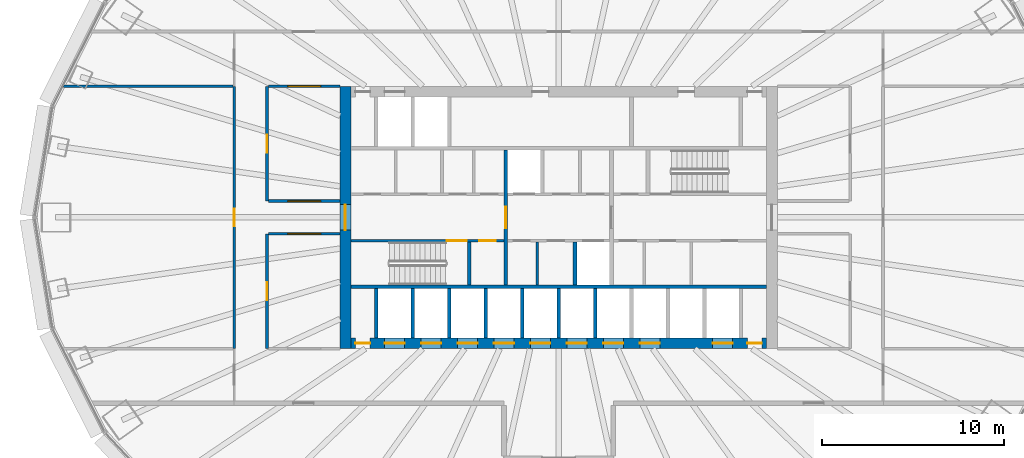
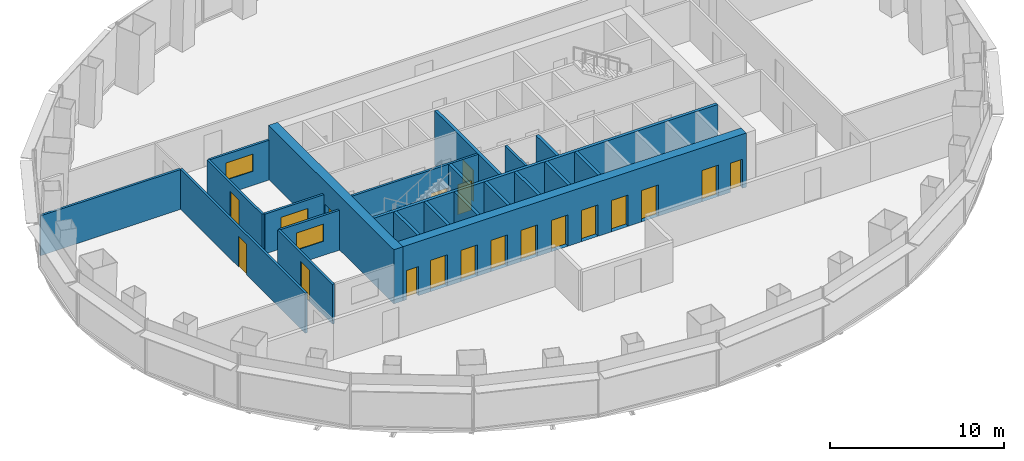
# One storey, part 7 of 13: 22 walls, 18 doors, 3 windows, 21 openings.
"""IFC4 building model written with IfcOpenShell, lengths in metres."""

import ifcopenshell
import ifcopenshell.guid

model = None  # the IFC model being written
_history = None  # IfcOwnerHistory: only IFC2X3 demands one
_inside = {}  # id of a spatial element -> (the spatial element, [elements in it])
_under = {}  # id of a project, library or spatial element -> (it, [spatial elements below it])
_declared = {}  # id of a project -> (the project, [libraries it declares])
_typed = {}  # id of a type object -> (the type object, [elements of that type])
_made_of = {}  # id of a material, layer set ... -> (it, [elements and type objects made of it])


def new_model(schema):
    """Start an empty IFC model of exactly this schema.

    Asked for "IFC4X3", IfcOpenShell would pick the latest addendum, in which some entities
    have other attributes; the version numbers below select the first issue.
    IFC2X3 requires an IfcOwnerHistory on every rooted entity: one is made here for all.
    """
    global model, _history
    if schema == "IFC4X3":
        model = ifcopenshell.file(schema_version=(4, 3, 0, 0))
    else:
        model = ifcopenshell.file(schema=schema)
    _inside.clear()
    _under.clear()
    _declared.clear()
    _typed.clear()
    _made_of.clear()
    _history = None
    if model.schema == "IFC2X3":
        org = make("IfcOrganization", Name="unknown")
        user = make(
            "IfcPersonAndOrganization",
            ThePerson=make("IfcPerson", FamilyName="unknown"),
            TheOrganization=org,
        )
        app = make(
            "IfcApplication",
            ApplicationDeveloper=org,
            Version="unknown",
            ApplicationFullName="unknown",
            ApplicationIdentifier="unknown",
        )
        _history = make(
            "IfcOwnerHistory",
            OwningUser=user,
            OwningApplication=app,
            ChangeAction="ADDED",
            CreationDate=0,
        )
    return model


def make(cls, **values):
    """One entity of the class cls with the attributes given. An attribute that is None is left unset."""
    return model.create_entity(
        cls, **{name: value for name, value in values.items() if value is not None}
    )


def rooted(cls, **values):
    """An entity with a GlobalId (a new one), such as an element, a storey or a relation."""
    return make(cls, GlobalId=ifcopenshell.guid.new(), OwnerHistory=_history, **values)


def si_unit(unit_type, name, prefix=None):
    """IfcSIUnit, for example si_unit("LENGTHUNIT", "METRE", prefix="MILLI")."""
    return make("IfcSIUnit", UnitType=unit_type, Prefix=prefix, Name=name)


def assignment(units):
    """IfcUnitAssignment: the units of a project."""
    return None if units is None else make("IfcUnitAssignment", Units=units)


def point(xyz):
    """IfcCartesianPoint."""
    return None if xyz is None else make("IfcCartesianPoint", Coordinates=xyz)


def direction(xyz):
    """IfcDirection."""
    return None if xyz is None else make("IfcDirection", DirectionRatios=xyz)


def frame(location, z_axis=None, x_axis=None):
    """IfcAxis2Placement3D, a coordinate frame: its origin and axes. An axis left out is left unset."""
    return make(
        "IfcAxis2Placement3D",
        Location=point(location),
        Axis=direction(z_axis),
        RefDirection=direction(x_axis),
    )


def frame_2d(location, x_axis=None):
    """IfcAxis2Placement2D, a coordinate frame in the plane: its origin and x axis."""
    return make(
        "IfcAxis2Placement2D", Location=point(location), RefDirection=direction(x_axis)
    )


def origin():
    """The frame at (0, 0, 0) with its axes left unset."""
    return frame((0.0, 0.0, 0.0))


def place(relative_to, where):
    """IfcLocalPlacement: puts the frame where relative to a parent placement (None: the world)."""
    return make(
        "IfcLocalPlacement", PlacementRelTo=relative_to, RelativePlacement=where
    )


def context(
    kind, dimensions, precision=None, world=None, true_north=None, identifier=None
):
    """IfcGeometricRepresentationContext, for example the 3D "Model" context."""
    return make(
        "IfcGeometricRepresentationContext",
        ContextIdentifier=identifier,
        ContextType=kind,
        CoordinateSpaceDimension=dimensions,
        Precision=precision,
        WorldCoordinateSystem=world,
        TrueNorth=true_north,
    )


def subcontext(parent, identifier, kind, view, scale=None):
    """IfcGeometricRepresentationSubContext, for example "Body" below "Model"."""
    return make(
        "IfcGeometricRepresentationSubContext",
        ContextIdentifier=identifier,
        ContextType=kind,
        ParentContext=parent,
        TargetScale=scale,
        TargetView=view,
    )


def project(units=None, contexts=None):
    """IfcProject with its units and contexts."""
    return rooted(
        "IfcProject",
        Name="project",
        RepresentationContexts=contexts,
        UnitsInContext=assignment(units),
    )


def spatial(cls, under=None, at=None, **own):
    """A site, building, storey or space (cls), placed at a placement, below another one or the project."""
    s = rooted(cls, ObjectPlacement=at, **own)
    if under is not None:
        _under.setdefault(under.id(), (under, []))[1].append(s)
    return s


def profile(cls, at=None, kind="AREA", **sizes):
    """A parametric profile (cls). Its sizes go by their IFC names, for example OverallWidth=200.0."""
    return make(cls, ProfileType=kind, Position=at, **sizes)


def rectangle(**sizes):
    """IfcRectangleProfileDef."""
    return profile("IfcRectangleProfileDef", **sizes)


def extrude(swept, where, along, depth):
    """IfcExtrudedAreaSolid: the profile swept, set in the frame where, extruded along a direction by depth."""
    return make(
        "IfcExtrudedAreaSolid",
        SweptArea=swept,
        Position=where,
        ExtrudedDirection=direction(along),
        Depth=depth,
    )


def shape(context_of_items, identifier, shape_type, items):
    """IfcShapeRepresentation: the items that make up one representation, for example the "Body"."""
    return make(
        "IfcShapeRepresentation",
        ContextOfItems=context_of_items,
        RepresentationIdentifier=identifier,
        RepresentationType=shape_type,
        Items=items,
    )


def material(Name=None, Category=None):
    """IfcMaterial."""
    return make("IfcMaterial", Name=Name, Category=Category)


def layer(
    of_material, thickness, ventilated=None, Name=None, Category=None, Priority=None
):
    """IfcMaterialLayer: one layer of a wall or slab, of a material (None: an air gap)."""
    return make(
        "IfcMaterialLayer",
        Material=of_material,
        LayerThickness=thickness,
        IsVentilated=ventilated,
        Name=Name,
        Category=Category,
        Priority=Priority,
    )


def layer_set(layers, Name=None):
    """IfcMaterialLayerSet."""
    return make("IfcMaterialLayerSet", MaterialLayers=layers, LayerSetName=Name)


def made_of(thing, what):
    """Note that an element or type object is made of a material, layer set ...; save() writes the relation."""
    if what is not None:
        _made_of.setdefault(what.id(), (what, []))[1].append(thing)
    return thing


def type_object(cls, material=None, **own):
    """A type object (cls), such as IfcWallType, which elements share."""
    return made_of(rooted(cls, **own), material)


def element(
    cls,
    number,
    at=None,
    inside=None,
    cuts=None,
    type_object=None,
    material=None,
    context=None,
    identifier="Body",
    shape_type=None,
    held_by="IfcProductDefinitionShape",
    body=None,
    shapes=None,
    **own,
):
    """One element of the class cls, such as IfcWall. Its Tag is "e" and its number.

    at: its placement. inside: the storey or other place that contains it. cuts: it is an
    opening in that element (IfcRelVoidsElement). A single representation is given by context,
    identifier, shape_type and body (its items); several are given by shapes. held_by: the class
    of the entity that holds the representations. save() writes the other relations.
    """
    e = rooted(cls, Tag="e%d" % number, ObjectPlacement=at, **own)
    if body is not None:
        shapes = [shape(context, identifier, shape_type, body)]
    if shapes is not None:
        e.Representation = make(held_by, Representations=shapes)
    if inside is not None:
        _inside.setdefault(inside.id(), (inside, []))[1].append(e)
    if cuts is not None:
        rooted(
            "IfcRelVoidsElement", RelatingBuildingElement=cuts, RelatedOpeningElement=e
        )
    if type_object is not None:
        _typed.setdefault(type_object.id(), (type_object, []))[1].append(e)
    return made_of(e, material)


def fill(opening, filler):
    """IfcRelFillsElement: the door or window that sits in an opening."""
    return rooted(
        "IfcRelFillsElement",
        RelatingOpeningElement=opening,
        RelatedBuildingElement=filler,
    )


def aggregate(whole, parts):
    """IfcRelAggregates: a whole, such as a stair, and the parts it consists of."""
    return rooted("IfcRelAggregates", RelatingObject=whole, RelatedObjects=parts)


def save(model, path):
    """Write the relations noted so far, then the file.

    IfcRelAggregates (storeys below a building ...), IfcRelContainedInSpatialStructure (elements
    in a storey), IfcRelDefinesByType, IfcRelAssociatesMaterial and IfcRelDeclares: one each for
    every whole, place, type object, material and project.
    """
    for whole, parts in _under.values():
        aggregate(whole, parts)
    for where, things in _inside.values():
        rooted(
            "IfcRelContainedInSpatialStructure",
            RelatedElements=things,
            RelatingStructure=where,
        )
    for kind, things in _typed.values():
        rooted("IfcRelDefinesByType", RelatedObjects=things, RelatingType=kind)
    for what, things in _made_of.values():
        rooted("IfcRelAssociatesMaterial", RelatedObjects=things, RelatingMaterial=what)
    for by, libraries in _declared.values():
        rooted("IfcRelDeclares", RelatingContext=by, RelatedDefinitions=libraries)
    model.write(path)


model = new_model("IFC4")

# Units and contexts
model_context = context("Model", 3, precision=1e-05, world=origin(), true_north=direction((0.0, 1.0)))
body_context = subcontext(model_context, "Body", "Model", "MODEL_VIEW")
ifc_project = project(units=[si_unit("LENGTHUNIT", "METRE"), si_unit("AREAUNIT", "SQUARE_METRE"), si_unit("VOLUMEUNIT", "CUBIC_METRE"), si_unit("PLANEANGLEUNIT", "RADIAN"), si_unit("MASSUNIT", "GRAM", prefix="KILO")], contexts=[model_context])

# Site, building, storey
site_placement = place(None, origin())
site = spatial("IfcSite", under=ifc_project, at=site_placement, CompositionType="ELEMENT")
building_placement = place(site_placement, origin())
building = spatial("IfcBuilding", under=site, at=building_placement, Name="Siaravel Broadcast Tower", CompositionType="ELEMENT")
storey_placement = place(building_placement, frame((0.0, 0.0, 24.5)))
storey = spatial("IfcBuildingStorey", under=building, at=storey_placement, Name="L04", CompositionType="ELEMENT", Elevation=24.5)

# Wall
ifc_material_1 = material(Name="Concrete blockwork", Category="masonry")
ifc_layer_1 = layer(ifc_material_1, 0.14990234375)
ifc_layer_set_1 = layer_set([ifc_layer_1], Name="Concrete blockwork")
wall_type_1 = type_object("IfcWallType", Name="Core partition 150", PredefinedType="PARTITIONING", material=ifc_layer_set_1)
wall_1_placement = place(storey_placement, frame((-1.172607421875, -3.699951171875, 0.0), z_axis=(0.0, 0.0, 1.0), x_axis=(0.0, 1.0, 0.0)))
element("IfcWall", 1, at=wall_1_placement, inside=storey, type_object=wall_type_1, Name="L04 core partition PSM0", PredefinedType="PARTITIONING", context=body_context, shape_type="SweptSolid", body=[
    extrude(rectangle(XDim=2.349853515625, YDim=0.14990234375, at=frame_2d((1.1748046875, 0.0))), origin(), (0.0, 0.0, 1.0), 3.800048828125),
])

# Wall, opening, door
ifc_material_2 = material(Name="Concrete C60/75", Category="concrete")
ifc_layer_2 = layer(ifc_material_2, 0.60009765625)
ifc_layer_set_2 = layer_set([ifc_layer_2], Name="Concrete C60/75")
wall_type_2 = type_object("IfcWallType", Name="Core wall 600", PredefinedType="SHEAR", material=ifc_layer_set_2)
wall_2_placement = place(storey_placement, frame((-11.699951171875, -7.199951171875, 0.0), z_axis=(0.0, 0.0, 1.0), x_axis=(0.0, 1.0, 0.0)))
wall_2 = element("IfcWall", 2, at=wall_2_placement, inside=storey, type_object=wall_type_2, Name="L04 core wall OW", PredefinedType="SHEAR", context=body_context, shape_type="SweptSolid", body=[
    extrude(rectangle(XDim=14.39990234375, YDim=0.60009765625, at=frame_2d((7.199951171875, 0.0))), origin(), (0.0, 0.0, 1.0), 3.800048828125),
])
opening_1_placement = place(wall_2_placement, frame((6.5, 0.0, 0.0)))
opening_1 = element("IfcOpeningElement", 3, at=opening_1_placement, cuts=wall_2, Name="Opening L04-DX-W", PredefinedType="OPENING", context=body_context, shape_type="SweptSolid", body=[
    extrude(rectangle(XDim=1.39990234375, YDim=2.199951171875, at=frame_2d((0.699951171875, 1.10009765625))), frame((0.0, 0.31005859375, 0.0), z_axis=(0.0, -1.0, 0.0), x_axis=(1.0, 0.0, 0.0)), (0.0, 0.0, 1.0), 0.6201171875),
])
ifc_material_3 = material(Name="Steel", Category="steel")
door_type_1 = type_object("IfcDoorType", Name="Core exit door 1400", OperationType="DOUBLE_DOOR_SINGLE_SWING", PredefinedType="DOOR", material=ifc_material_3)
door_1_placement = place(opening_1_placement, origin())
door_1 = element("IfcDoor", 4, at=door_1_placement, inside=storey, type_object=door_type_1, Name="L04 door DX-W", OperationType="DOUBLE_DOOR_SINGLE_SWING", OverallHeight=2.199951171875, OverallWidth=1.39990234375, PredefinedType="DOOR", context=body_context, shape_type="SweptSolid", body=[
    extrude(rectangle(XDim=1.39990234375, YDim=2.199951171875, at=frame_2d((0.699951171875, 1.10009765625))), frame((0.0, 0.02490234375, 0.0), z_axis=(0.0, -1.0, 0.0), x_axis=(1.0, 0.0, 0.0)), (0.0, 0.0, 1.0), 0.050048828125),
])
fill(opening_1, door_1)

# Wall, openings, doors
wall_3_placement = place(storey_placement, frame((-11.39990234375, -6.89990234375, 0.0), z_axis=(0.0, 0.0, 1.0), x_axis=(1.0, 0.0, 0.0)))
wall_3 = element("IfcWall", 5, at=wall_3_placement, inside=storey, type_object=wall_type_2, Name="L04 core wall OS", PredefinedType="SHEAR", context=body_context, shape_type="SweptSolid", body=[
    extrude(rectangle(XDim=22.7998046875, YDim=0.60009765625, at=frame_2d((11.39990234375, 0.0))), origin(), (0.0, 0.0, 1.0), 3.800048828125),
])
opening_2_placement = place(wall_3_placement, frame((1.85009765625, 0.0, 0.0)))
opening_2 = element("IfcOpeningElement", 6, at=opening_2_placement, cuts=wall_3, Name="Opening LD-LP1-L04", PredefinedType="OPENING", context=body_context, shape_type="SweptSolid", body=[
    extrude(rectangle(XDim=1.10009765625, YDim=2.199951171875, at=frame_2d((0.550048828125, 1.10009765625))), frame((0.0, 0.31005859375, 0.0), z_axis=(0.0, -1.0, 0.0), x_axis=(1.0, 0.0, 0.0)), (0.0, 0.0, 1.0), 0.6201171875),
])
opening_3_placement = place(wall_3_placement, frame((3.85009765625, 0.0, 0.0)))
opening_3 = element("IfcOpeningElement", 7, at=opening_3_placement, cuts=wall_3, Name="Opening LD-LP2-L04", PredefinedType="OPENING", context=body_context, shape_type="SweptSolid", body=[
    extrude(rectangle(XDim=1.10009765625, YDim=2.199951171875, at=frame_2d((0.550048828125, 1.10009765625))), frame((0.0, 0.31005859375, 0.0), z_axis=(0.0, -1.0, 0.0), x_axis=(1.0, 0.0, 0.0)), (0.0, 0.0, 1.0), 0.6201171875),
])
opening_4_placement = place(wall_3_placement, frame((5.85009765625, 0.0, 0.0)))
opening_4 = element("IfcOpeningElement", 8, at=opening_4_placement, cuts=wall_3, Name="Opening LD-LP3-L04", PredefinedType="OPENING", context=body_context, shape_type="SweptSolid", body=[
    extrude(rectangle(XDim=1.10009765625, YDim=2.199951171875, at=frame_2d((0.550048828125, 1.10009765625))), frame((0.0, 0.31005859375, 0.0), z_axis=(0.0, -1.0, 0.0), x_axis=(1.0, 0.0, 0.0)), (0.0, 0.0, 1.0), 0.6201171875),
])
opening_5_placement = place(wall_3_placement, frame((7.85009765625, 0.0, 0.0)))
opening_5 = element("IfcOpeningElement", 9, at=opening_5_placement, cuts=wall_3, Name="Opening LD-LP4-L04", PredefinedType="OPENING", context=body_context, shape_type="SweptSolid", body=[
    extrude(rectangle(XDim=1.10009765625, YDim=2.199951171875, at=frame_2d((0.550048828125, 1.10009765625))), frame((0.0, 0.31005859375, 0.0), z_axis=(0.0, -1.0, 0.0), x_axis=(1.0, 0.0, 0.0)), (0.0, 0.0, 1.0), 0.6201171875),
])
opening_6_placement = place(wall_3_placement, frame((9.85009765625, 0.0, 0.0)))
opening_6 = element("IfcOpeningElement", 10, at=opening_6_placement, cuts=wall_3, Name="Opening LD-LP5-L04", PredefinedType="OPENING", context=body_context, shape_type="SweptSolid", body=[
    extrude(rectangle(XDim=1.10009765625, YDim=2.199951171875, at=frame_2d((0.550048828125, 1.10009765625))), frame((0.0, 0.31005859375, 0.0), z_axis=(0.0, -1.0, 0.0), x_axis=(1.0, 0.0, 0.0)), (0.0, 0.0, 1.0), 0.6201171875),
])
opening_7_placement = place(wall_3_placement, frame((11.85009765625, 0.0, 0.0)))
opening_7 = element("IfcOpeningElement", 11, at=opening_7_placement, cuts=wall_3, Name="Opening LD-LP6-L04", PredefinedType="OPENING", context=body_context, shape_type="SweptSolid", body=[
    extrude(rectangle(XDim=1.10009765625, YDim=2.199951171875, at=frame_2d((0.550048828125, 1.10009765625))), frame((0.0, 0.31005859375, 0.0), z_axis=(0.0, -1.0, 0.0), x_axis=(1.0, 0.0, 0.0)), (0.0, 0.0, 1.0), 0.6201171875),
])
opening_8_placement = place(wall_3_placement, frame((13.85009765625, 0.0, 0.0)))
opening_8 = element("IfcOpeningElement", 12, at=opening_8_placement, cuts=wall_3, Name="Opening LD-LP7-L04", PredefinedType="OPENING", context=body_context, shape_type="SweptSolid", body=[
    extrude(rectangle(XDim=1.10009765625, YDim=2.199951171875, at=frame_2d((0.550048828125, 1.10009765625))), frame((0.0, 0.31005859375, 0.0), z_axis=(0.0, -1.0, 0.0), x_axis=(1.0, 0.0, 0.0)), (0.0, 0.0, 1.0), 0.6201171875),
])
opening_9_placement = place(wall_3_placement, frame((15.85009765625, 0.0, 0.0)))
opening_9 = element("IfcOpeningElement", 13, at=opening_9_placement, cuts=wall_3, Name="Opening LD-LP8-L04", PredefinedType="OPENING", context=body_context, shape_type="SweptSolid", body=[
    extrude(rectangle(XDim=1.10009765625, YDim=2.199951171875, at=frame_2d((0.550048828125, 1.10009765625))), frame((0.0, 0.31005859375, 0.0), z_axis=(0.0, -1.0, 0.0), x_axis=(1.0, 0.0, 0.0)), (0.0, 0.0, 1.0), 0.6201171875),
])
opening_10_placement = place(wall_3_placement, frame((19.85009765625, 0.0, 0.0)))
opening_10 = element("IfcOpeningElement", 14, at=opening_10_placement, cuts=wall_3, Name="Opening LD-SV1-L04", PredefinedType="OPENING", context=body_context, shape_type="SweptSolid", body=[
    extrude(rectangle(XDim=1.10009765625, YDim=2.199951171875, at=frame_2d((0.550048828125, 1.10009765625))), frame((0.0, 0.31005859375, 0.0), z_axis=(0.0, -1.0, 0.0), x_axis=(1.0, 0.0, 0.0)), (0.0, 0.0, 1.0), 0.6201171875),
])
opening_11_placement = place(wall_3_placement, frame((0.25, 0.0, 0.0)))
opening_11 = element("IfcOpeningElement", 15, at=opening_11_placement, cuts=wall_3, Name="Opening L04-DRSW", PredefinedType="OPENING", context=body_context, shape_type="SweptSolid", body=[
    extrude(rectangle(XDim=0.800048828125, YDim=2.050048828125, at=frame_2d((0.39990234375, 1.02490234375))), frame((0.0, 0.31005859375, 0.0), z_axis=(0.0, -1.0, 0.0), x_axis=(1.0, 0.0, 0.0)), (0.0, 0.0, 1.0), 0.6201171875),
])
opening_12_placement = place(wall_3_placement, frame((21.75, 0.0, 0.0)))
opening_12 = element("IfcOpeningElement", 16, at=opening_12_placement, cuts=wall_3, Name="Opening L04-DRSE", PredefinedType="OPENING", context=body_context, shape_type="SweptSolid", body=[
    extrude(rectangle(XDim=0.800048828125, YDim=2.050048828125, at=frame_2d((0.39990234375, 1.02490234375))), frame((0.0, 0.31005859375, 0.0), z_axis=(0.0, -1.0, 0.0), x_axis=(1.0, 0.0, 0.0)), (0.0, 0.0, 1.0), 0.6201171875),
])
ifc_material_4 = material(Name="Stainless steel 316L", Category="steel")
door_type_2 = type_object("IfcDoorType", Name="Lift landing door 1100", OperationType="DOUBLE_DOOR_SLIDING", PredefinedType="DOOR", material=ifc_material_4)
door_2_placement = place(opening_2_placement, origin())
door_2 = element("IfcDoor", 17, at=door_2_placement, inside=storey, type_object=door_type_2, Name="Landing door LP1 L04", OperationType="DOUBLE_DOOR_SLIDING", OverallHeight=2.199951171875, OverallWidth=1.10009765625, PredefinedType="DOOR", context=body_context, shape_type="SweptSolid", body=[
    extrude(rectangle(XDim=1.10009765625, YDim=2.199951171875, at=frame_2d((0.550048828125, 1.10009765625))), frame((0.0, 0.02490234375, 0.0), z_axis=(0.0, -1.0, 0.0), x_axis=(1.0, 0.0, 0.0)), (0.0, 0.0, 1.0), 0.050048828125),
])
fill(opening_2, door_2)
door_3_placement = place(opening_3_placement, origin())
door_3 = element("IfcDoor", 18, at=door_3_placement, inside=storey, type_object=door_type_2, Name="Landing door LP2 L04", OperationType="DOUBLE_DOOR_SLIDING", OverallHeight=2.199951171875, OverallWidth=1.10009765625, PredefinedType="DOOR", context=body_context, shape_type="SweptSolid", body=[
    extrude(rectangle(XDim=1.10009765625, YDim=2.199951171875, at=frame_2d((0.550048828125, 1.10009765625))), frame((0.0, 0.02490234375, 0.0), z_axis=(0.0, -1.0, 0.0), x_axis=(1.0, 0.0, 0.0)), (0.0, 0.0, 1.0), 0.050048828125),
])
fill(opening_3, door_3)
door_4_placement = place(opening_4_placement, origin())
door_4 = element("IfcDoor", 19, at=door_4_placement, inside=storey, type_object=door_type_2, Name="Landing door LP3 L04", OperationType="DOUBLE_DOOR_SLIDING", OverallHeight=2.199951171875, OverallWidth=1.10009765625, PredefinedType="DOOR", context=body_context, shape_type="SweptSolid", body=[
    extrude(rectangle(XDim=1.10009765625, YDim=2.199951171875, at=frame_2d((0.550048828125, 1.10009765625))), frame((0.0, 0.02490234375, 0.0), z_axis=(0.0, -1.0, 0.0), x_axis=(1.0, 0.0, 0.0)), (0.0, 0.0, 1.0), 0.050048828125),
])
fill(opening_4, door_4)
door_5_placement = place(opening_5_placement, origin())
door_5 = element("IfcDoor", 20, at=door_5_placement, inside=storey, type_object=door_type_2, Name="Landing door LP4 L04", OperationType="DOUBLE_DOOR_SLIDING", OverallHeight=2.199951171875, OverallWidth=1.10009765625, PredefinedType="DOOR", context=body_context, shape_type="SweptSolid", body=[
    extrude(rectangle(XDim=1.10009765625, YDim=2.199951171875, at=frame_2d((0.550048828125, 1.10009765625))), frame((0.0, 0.02490234375, 0.0), z_axis=(0.0, -1.0, 0.0), x_axis=(1.0, 0.0, 0.0)), (0.0, 0.0, 1.0), 0.050048828125),
])
fill(opening_5, door_5)
door_6_placement = place(opening_6_placement, origin())
door_6 = element("IfcDoor", 21, at=door_6_placement, inside=storey, type_object=door_type_2, Name="Landing door LP5 L04", OperationType="DOUBLE_DOOR_SLIDING", OverallHeight=2.199951171875, OverallWidth=1.10009765625, PredefinedType="DOOR", context=body_context, shape_type="SweptSolid", body=[
    extrude(rectangle(XDim=1.10009765625, YDim=2.199951171875, at=frame_2d((0.550048828125, 1.10009765625))), frame((0.0, 0.02490234375, 0.0), z_axis=(0.0, -1.0, 0.0), x_axis=(1.0, 0.0, 0.0)), (0.0, 0.0, 1.0), 0.050048828125),
])
fill(opening_6, door_6)
door_7_placement = place(opening_7_placement, origin())
door_7 = element("IfcDoor", 22, at=door_7_placement, inside=storey, type_object=door_type_2, Name="Landing door LP6 L04", OperationType="DOUBLE_DOOR_SLIDING", OverallHeight=2.199951171875, OverallWidth=1.10009765625, PredefinedType="DOOR", context=body_context, shape_type="SweptSolid", body=[
    extrude(rectangle(XDim=1.10009765625, YDim=2.199951171875, at=frame_2d((0.550048828125, 1.10009765625))), frame((0.0, 0.02490234375, 0.0), z_axis=(0.0, -1.0, 0.0), x_axis=(1.0, 0.0, 0.0)), (0.0, 0.0, 1.0), 0.050048828125),
])
fill(opening_7, door_7)
door_8_placement = place(opening_8_placement, origin())
door_8 = element("IfcDoor", 23, at=door_8_placement, inside=storey, type_object=door_type_2, Name="Landing door LP7 L04", OperationType="DOUBLE_DOOR_SLIDING", OverallHeight=2.199951171875, OverallWidth=1.10009765625, PredefinedType="DOOR", context=body_context, shape_type="SweptSolid", body=[
    extrude(rectangle(XDim=1.10009765625, YDim=2.199951171875, at=frame_2d((0.550048828125, 1.10009765625))), frame((0.0, 0.02490234375, 0.0), z_axis=(0.0, -1.0, 0.0), x_axis=(1.0, 0.0, 0.0)), (0.0, 0.0, 1.0), 0.050048828125),
])
fill(opening_8, door_8)
door_9_placement = place(opening_9_placement, origin())
door_9 = element("IfcDoor", 24, at=door_9_placement, inside=storey, type_object=door_type_2, Name="Landing door LP8 L04", OperationType="DOUBLE_DOOR_SLIDING", OverallHeight=2.199951171875, OverallWidth=1.10009765625, PredefinedType="DOOR", context=body_context, shape_type="SweptSolid", body=[
    extrude(rectangle(XDim=1.10009765625, YDim=2.199951171875, at=frame_2d((0.550048828125, 1.10009765625))), frame((0.0, 0.02490234375, 0.0), z_axis=(0.0, -1.0, 0.0), x_axis=(1.0, 0.0, 0.0)), (0.0, 0.0, 1.0), 0.050048828125),
])
fill(opening_9, door_9)
door_type_3 = type_object("IfcDoorType", Name="Riser door 800", OperationType="SINGLE_SWING_LEFT", PredefinedType="DOOR", material=ifc_material_3)
door_10_placement = place(opening_11_placement, origin())
door_10 = element("IfcDoor", 25, at=door_10_placement, inside=storey, type_object=door_type_3, Name="L04 door DRSW", OperationType="SINGLE_SWING_LEFT", OverallHeight=2.050048828125, OverallWidth=0.800048828125, PredefinedType="DOOR", context=body_context, shape_type="SweptSolid", body=[
    extrude(rectangle(XDim=0.800048828125, YDim=2.050048828125, at=frame_2d((0.39990234375, 1.02490234375))), frame((0.0, 0.02490234375, 0.0), z_axis=(0.0, -1.0, 0.0), x_axis=(1.0, 0.0, 0.0)), (0.0, 0.0, 1.0), 0.050048828125),
])
fill(opening_11, door_10)
door_11_placement = place(opening_12_placement, origin())
door_11 = element("IfcDoor", 26, at=door_11_placement, inside=storey, type_object=door_type_3, Name="L04 door DRSE", OperationType="SINGLE_SWING_LEFT", OverallHeight=2.050048828125, OverallWidth=0.800048828125, PredefinedType="DOOR", context=body_context, shape_type="SweptSolid", body=[
    extrude(rectangle(XDim=0.800048828125, YDim=2.050048828125, at=frame_2d((0.39990234375, 1.02490234375))), frame((0.0, 0.02490234375, 0.0), z_axis=(0.0, -1.0, 0.0), x_axis=(1.0, 0.0, 0.0)), (0.0, 0.0, 1.0), 0.050048828125),
])
fill(opening_12, door_11)
door_type_4 = type_object("IfcDoorType", Name="Service lift landing door 1100", OperationType="DOUBLE_DOOR_SLIDING", PredefinedType="DOOR", material=ifc_material_4)
door_12_placement = place(opening_10_placement, origin())
door_12 = element("IfcDoor", 27, at=door_12_placement, inside=storey, type_object=door_type_4, Name="Landing door SV1 L04", OperationType="DOUBLE_DOOR_SLIDING", OverallHeight=2.199951171875, OverallWidth=1.10009765625, PredefinedType="DOOR", context=body_context, shape_type="SweptSolid", body=[
    extrude(rectangle(XDim=1.10009765625, YDim=2.199951171875, at=frame_2d((0.550048828125, 1.10009765625))), frame((0.0, 0.02490234375, 0.0), z_axis=(0.0, -1.0, 0.0), x_axis=(1.0, 0.0, 0.0)), (0.0, 0.0, 1.0), 0.050048828125),
])
fill(opening_10, door_12)

# Wall, opening, door
ifc_material_5 = material(Name="Gypsum board partition", Category="gypsum")
ifc_layer_3 = layer(ifc_material_5, 0.14990234375)
ifc_layer_set_3 = layer_set([ifc_layer_3], Name="Gypsum board partition")
wall_type_3 = type_object("IfcWallType", Name="Corridor wall 150", PredefinedType="PARTITIONING", material=ifc_layer_set_3)
wall_4_placement = place(storey_placement, frame((-17.800048828125, 7.199951171875, 0.0), z_axis=(0.0, 0.0, 1.0), x_axis=(0.0, -1.0, 0.0)))
wall_4 = element("IfcWall", 28, at=wall_4_placement, inside=storey, type_object=wall_type_3, Name="L04 partition 4", PredefinedType="PARTITIONING", context=body_context, shape_type="SweptSolid", body=[
    extrude(rectangle(XDim=14.39990234375, YDim=0.14990234375, at=frame_2d((7.199951171875, 0.0))), origin(), (0.0, 0.0, 1.0), 2.800048828125),
])
opening_13_placement = place(wall_4_placement, frame((6.72509765625, 0.0, 0.0)))
opening_13 = element("IfcOpeningElement", 29, at=opening_13_placement, cuts=wall_4, Name="Opening L04-007", PredefinedType="OPENING", context=body_context, shape_type="SweptSolid", body=[
    extrude(rectangle(XDim=0.949951171875, YDim=2.14990234375, at=frame_2d((0.47509765625, 1.074951171875))), frame((0.0, 0.0849609375, 0.0), z_axis=(0.0, -1.0, 0.0), x_axis=(1.0, 0.0, 0.0)), (0.0, 0.0, 1.0), 0.169921875),
])
ifc_material_6 = material(Name="Timber veneer", Category="wood")
door_type_5 = type_object("IfcDoorType", Name="Office door 950", OperationType="SINGLE_SWING_LEFT", PredefinedType="DOOR", material=ifc_material_6)
door_13_placement = place(opening_13_placement, origin())
door_13 = element("IfcDoor", 30, at=door_13_placement, inside=storey, type_object=door_type_5, Name="L04 door to Production office", OperationType="SINGLE_SWING_LEFT", OverallHeight=2.14990234375, OverallWidth=0.949951171875, PredefinedType="DOOR", context=body_context, shape_type="SweptSolid", body=[
    extrude(rectangle(XDim=0.949951171875, YDim=2.14990234375, at=frame_2d((0.47509765625, 1.074951171875))), frame((0.0, 0.02490234375, 0.0), z_axis=(0.0, -1.0, 0.0), x_axis=(1.0, 0.0, 0.0)), (0.0, 0.0, 1.0), 0.050048828125),
])
fill(opening_13, door_13)

wall_5_placement = place(storey_placement, frame((-16.0, -7.199951171875, 0.0), z_axis=(0.0, 0.0, 1.0), x_axis=(0.0, 1.0, 0.0)))
wall_5 = element("IfcWall", 31, at=wall_5_placement, inside=storey, type_object=wall_type_3, Name="L04 partition 14", PredefinedType="PARTITIONING", context=body_context, shape_type="SweptSolid", body=[
    extrude(rectangle(XDim=6.300048828125, YDim=0.14990234375, at=frame_2d((3.14990234375, 0.0))), origin(), (0.0, 0.0, 1.0), 2.800048828125),
])
opening_14_placement = place(wall_5_placement, frame((2.64990234375, 0.0, 0.0)))
opening_14 = element("IfcOpeningElement", 32, at=opening_14_placement, cuts=wall_5, Name="Opening L04-002", PredefinedType="OPENING", context=body_context, shape_type="SweptSolid", body=[
    extrude(rectangle(XDim=1.0, YDim=2.199951171875, at=frame_2d((0.5, 1.10009765625))), frame((0.0, 0.0849609375, 0.0), z_axis=(0.0, -1.0, 0.0), x_axis=(1.0, 0.0, 0.0)), (0.0, 0.0, 1.0), 0.169921875),
])
ifc_material_7 = material(Name="Acoustic timber and steel", Category="steel")
door_type_6 = type_object("IfcDoorType", Name="Acoustic door 1000", OperationType="SINGLE_SWING_LEFT", PredefinedType="DOOR", material=ifc_material_7)
door_14_placement = place(opening_14_placement, origin())
door_14 = element("IfcDoor", 33, at=door_14_placement, inside=storey, type_object=door_type_6, Name="L04 door to Control room", OperationType="SINGLE_SWING_RIGHT", OverallHeight=2.199951171875, OverallWidth=1.0, PredefinedType="DOOR", context=body_context, shape_type="SweptSolid", body=[
    extrude(rectangle(XDim=1.0, YDim=2.199951171875, at=frame_2d((0.5, 1.10009765625))), frame((0.0, 0.02490234375, 0.0), z_axis=(0.0, -1.0, 0.0), x_axis=(1.0, 0.0, 0.0)), (0.0, 0.0, 1.0), 0.050048828125),
])
fill(opening_14, door_14)

wall_6_placement = place(storey_placement, frame((-16.0, 0.89990234375, 0.0), z_axis=(0.0, 0.0, 1.0), x_axis=(0.0, 1.0, 0.0)))
wall_6 = element("IfcWall", 34, at=wall_6_placement, inside=storey, type_object=wall_type_3, Name="L04 partition 15", PredefinedType="PARTITIONING", context=body_context, shape_type="SweptSolid", body=[
    extrude(rectangle(XDim=6.300048828125, YDim=0.14990234375, at=frame_2d((3.14990234375, 0.0))), origin(), (0.0, 0.0, 1.0), 2.800048828125),
])
opening_15_placement = place(wall_6_placement, frame((2.64990234375, 0.0, 0.0)))
opening_15 = element("IfcOpeningElement", 35, at=opening_15_placement, cuts=wall_6, Name="Opening L04-003", PredefinedType="OPENING", context=body_context, shape_type="SweptSolid", body=[
    extrude(rectangle(XDim=1.0, YDim=2.199951171875, at=frame_2d((0.5, 1.10009765625))), frame((0.0, 0.0849609375, 0.0), z_axis=(0.0, -1.0, 0.0), x_axis=(1.0, 0.0, 0.0)), (0.0, 0.0, 1.0), 0.169921875),
])
door_15_placement = place(opening_15_placement, origin())
door_15 = element("IfcDoor", 36, at=door_15_placement, inside=storey, type_object=door_type_6, Name="L04 door to Control room", OperationType="SINGLE_SWING_LEFT", OverallHeight=2.199951171875, OverallWidth=1.0, PredefinedType="DOOR", context=body_context, shape_type="SweptSolid", body=[
    extrude(rectangle(XDim=1.0, YDim=2.199951171875, at=frame_2d((0.5, 1.10009765625))), frame((0.0, 0.02490234375, 0.0), z_axis=(0.0, -1.0, 0.0), x_axis=(1.0, 0.0, 0.0)), (0.0, 0.0, 1.0), 0.050048828125),
])
fill(opening_15, door_15)

# Wall, opening, window
wall_7_placement = place(storey_placement, frame((-15.923095703125, -0.89990234375, 0.0), z_axis=(0.0, 0.0, 1.0), x_axis=(1.0, 0.0, 0.0)))
wall_7 = element("IfcWall", 37, at=wall_7_placement, inside=storey, type_object=wall_type_3, Name="L04 partition 19", PredefinedType="PARTITIONING", context=body_context, shape_type="SweptSolid", body=[
    extrude(rectangle(XDim=3.923095703125, YDim=0.14990234375, at=frame_2d((1.96142578125, 0.0))), origin(), (0.0, 0.0, 1.0), 2.800048828125),
])
opening_16_placement = place(wall_7_placement, frame((1.0615234375, 0.0, 1.0)))
opening_16 = element("IfcOpeningElement", 38, at=opening_16_placement, cuts=wall_7, Name="Opening L04-W01", PredefinedType="OPENING", context=body_context, shape_type="SweptSolid", body=[
    extrude(rectangle(XDim=1.800048828125, YDim=1.199951171875, at=frame_2d((0.89990234375, 0.60009765625))), frame((0.0, 0.0849609375, 0.0), z_axis=(0.0, -1.0, 0.0), x_axis=(1.0, 0.0, 0.0)), (0.0, 0.0, 1.0), 0.169921875),
])
ifc_material_8 = material(Name="Laminated acoustic glass", Category="glass")
window_type = type_object("IfcWindowType", Name="Observation window 1800", PartitioningType="SINGLE_PANEL", PredefinedType="WINDOW", material=ifc_material_8)
window_1_placement = place(opening_16_placement, origin())
window_1 = element("IfcWindow", 39, at=window_1_placement, inside=storey, type_object=window_type, Name="L04 observation window 1", OverallHeight=1.199951171875, OverallWidth=1.800048828125, PartitioningType="SINGLE_PANEL", PredefinedType="WINDOW", context=body_context, shape_type="SweptSolid", body=[
    extrude(rectangle(XDim=1.800048828125, YDim=1.199951171875, at=frame_2d((0.89990234375, 0.60009765625))), frame((0.0, 0.030029296875, 0.0), z_axis=(0.0, -1.0, 0.0), x_axis=(1.0, 0.0, 0.0)), (0.0, 0.0, 1.0), 0.06005859375),
])
fill(opening_16, window_1)

wall_8_placement = place(storey_placement, frame((-15.923095703125, 7.199951171875, 0.0), z_axis=(0.0, 0.0, 1.0), x_axis=(1.0, 0.0, 0.0)))
wall_8 = element("IfcWall", 40, at=wall_8_placement, inside=storey, type_object=wall_type_3, Name="L04 partition 20", PredefinedType="PARTITIONING", context=body_context, shape_type="SweptSolid", body=[
    extrude(rectangle(XDim=3.923095703125, YDim=0.14990234375, at=frame_2d((1.96142578125, 0.0))), origin(), (0.0, 0.0, 1.0), 2.800048828125),
])
opening_17_placement = place(wall_8_placement, frame((1.0615234375, 0.0, 1.0)))
opening_17 = element("IfcOpeningElement", 41, at=opening_17_placement, cuts=wall_8, Name="Opening L04-W02", PredefinedType="OPENING", context=body_context, shape_type="SweptSolid", body=[
    extrude(rectangle(XDim=1.800048828125, YDim=1.199951171875, at=frame_2d((0.89990234375, 0.60009765625))), frame((0.0, 0.0849609375, 0.0), z_axis=(0.0, -1.0, 0.0), x_axis=(1.0, 0.0, 0.0)), (0.0, 0.0, 1.0), 0.169921875),
])
window_2_placement = place(opening_17_placement, origin())
window_2 = element("IfcWindow", 42, at=window_2_placement, inside=storey, type_object=window_type, Name="L04 observation window 2", OverallHeight=1.199951171875, OverallWidth=1.800048828125, PartitioningType="SINGLE_PANEL", PredefinedType="WINDOW", context=body_context, shape_type="SweptSolid", body=[
    extrude(rectangle(XDim=1.800048828125, YDim=1.199951171875, at=frame_2d((0.89990234375, 0.60009765625))), frame((0.0, 0.030029296875, 0.0), z_axis=(0.0, -1.0, 0.0), x_axis=(1.0, 0.0, 0.0)), (0.0, 0.0, 1.0), 0.06005859375),
])
fill(opening_17, window_2)

wall_9_placement = place(storey_placement, frame((-12.0, 0.89990234375, 0.0), z_axis=(0.0, 0.0, 1.0), x_axis=(-1.0, 0.0, 0.0)))
wall_9 = element("IfcWall", 43, at=wall_9_placement, inside=storey, type_object=wall_type_3, Name="L04 partition 22", PredefinedType="PARTITIONING", context=body_context, shape_type="SweptSolid", body=[
    extrude(rectangle(XDim=3.923095703125, YDim=0.14990234375, at=frame_2d((1.96142578125, 0.0))), origin(), (0.0, 0.0, 1.0), 2.800048828125),
])
opening_18_placement = place(wall_9_placement, frame((1.0615234375, 0.0, 1.0)))
opening_18 = element("IfcOpeningElement", 44, at=opening_18_placement, cuts=wall_9, Name="Opening L04-W04", PredefinedType="OPENING", context=body_context, shape_type="SweptSolid", body=[
    extrude(rectangle(XDim=1.800048828125, YDim=1.199951171875, at=frame_2d((0.89990234375, 0.60009765625))), frame((0.0, 0.0849609375, 0.0), z_axis=(0.0, -1.0, 0.0), x_axis=(1.0, 0.0, 0.0)), (0.0, 0.0, 1.0), 0.169921875),
])
window_3_placement = place(opening_18_placement, origin())
window_3 = element("IfcWindow", 45, at=window_3_placement, inside=storey, type_object=window_type, Name="L04 observation window 4", OverallHeight=1.199951171875, OverallWidth=1.800048828125, PartitioningType="SINGLE_PANEL", PredefinedType="WINDOW", context=body_context, shape_type="SweptSolid", body=[
    extrude(rectangle(XDim=1.800048828125, YDim=1.199951171875, at=frame_2d((0.89990234375, 0.60009765625))), frame((0.0, 0.030029296875, 0.0), z_axis=(0.0, -1.0, 0.0), x_axis=(1.0, 0.0, 0.0)), (0.0, 0.0, 1.0), 0.06005859375),
])
fill(opening_18, window_3)

# Wall
ifc_layer_4 = layer(ifc_material_5, 0.14990234375)
ifc_layer_set_4 = layer_set([ifc_layer_4], Name="Gypsum board partition")
wall_type_4 = type_object("IfcWallType", Name="Room partition 150", PredefinedType="PARTITIONING", material=ifc_layer_set_4)
wall_10_placement = place(storey_placement, frame((-17.876953125, 7.199951171875, 0.0), z_axis=(0.0, 0.0, 1.0), x_axis=(-1.0, 0.0, 0.0)))
element("IfcWall", 46, at=wall_10_placement, inside=storey, type_object=wall_type_4, Name="L04 partition 7", PredefinedType="PARTITIONING", context=body_context, shape_type="SweptSolid", body=[
    extrude(rectangle(XDim=9.285888671875, YDim=0.14990234375, at=frame_2d((4.64306640625, 0.0))), origin(), (0.0, 0.0, 1.0), 2.800048828125),
])

# Wall, openings, doors
ifc_layer_5 = layer(ifc_material_2, 0.14990234375)
ifc_layer_set_5 = layer_set([ifc_layer_5], Name="Concrete C60/75")
wall_type_5 = type_object("IfcWallType", Name="Shaft wall 150", PredefinedType="SHEAR", material=ifc_layer_set_5)
wall_11_placement = place(storey_placement, frame((-11.39990234375, -1.27490234375, 0.0), z_axis=(0.0, 0.0, 1.0), x_axis=(1.0, 0.0, 0.0)))
wall_11 = element("IfcWall", 47, at=wall_11_placement, inside=storey, type_object=wall_type_5, Name="L04 core wall CSW", PredefinedType="SHEAR", context=body_context, shape_type="SweptSolid", body=[
    extrude(rectangle(XDim=8.39990234375, YDim=0.14990234375, at=frame_2d((4.199951171875, 0.0))), origin(), (0.0, 0.0, 1.0), 3.800048828125),
])
opening_19_placement = place(wall_11_placement, frame((5.25, 0.0, 0.0)))
opening_19 = element("IfcOpeningElement", 48, at=opening_19_placement, cuts=wall_11, Name="Opening L04-DS-1", PredefinedType="OPENING", context=body_context, shape_type="SweptSolid", body=[
    extrude(rectangle(XDim=1.10009765625, YDim=2.14990234375, at=frame_2d((0.550048828125, 1.074951171875))), frame((0.0, 0.0849609375, 0.0), z_axis=(0.0, -1.0, 0.0), x_axis=(1.0, 0.0, 0.0)), (0.0, 0.0, 1.0), 0.169921875),
])
opening_20_placement = place(wall_11_placement, frame((7.050048828125, 0.0, 0.0)))
opening_20 = element("IfcOpeningElement", 49, at=opening_20_placement, cuts=wall_11, Name="Opening L04-DSW0", PredefinedType="OPENING", context=body_context, shape_type="SweptSolid", body=[
    extrude(rectangle(XDim=0.89990234375, YDim=2.10009765625, at=frame_2d((0.449951171875, 1.050048828125))), frame((0.0, 0.0849609375, 0.0), z_axis=(0.0, -1.0, 0.0), x_axis=(1.0, 0.0, 0.0)), (0.0, 0.0, 1.0), 0.169921875),
])
door_type_7 = type_object("IfcDoorType", Name="Core room door 900", OperationType="SINGLE_SWING_LEFT", PredefinedType="DOOR", material=ifc_material_6)
door_16_placement = place(opening_20_placement, origin())
door_16 = element("IfcDoor", 50, at=door_16_placement, inside=storey, type_object=door_type_7, Name="L04 door DSW0", OperationType="SINGLE_SWING_LEFT", OverallHeight=2.10009765625, OverallWidth=0.89990234375, PredefinedType="DOOR", context=body_context, shape_type="SweptSolid", body=[
    extrude(rectangle(XDim=0.89990234375, YDim=2.10009765625, at=frame_2d((0.449951171875, 1.050048828125))), frame((0.0, 0.02490234375, 0.0), z_axis=(0.0, -1.0, 0.0), x_axis=(1.0, 0.0, 0.0)), (0.0, 0.0, 1.0), 0.050048828125),
])
fill(opening_20, door_16)
door_type_8 = type_object("IfcDoorType", Name="Stair door 1100", OperationType="SINGLE_SWING_LEFT", PredefinedType="DOOR", material=ifc_material_3)
door_17_placement = place(opening_19_placement, origin())
door_17 = element("IfcDoor", 51, at=door_17_placement, inside=storey, type_object=door_type_8, Name="L04 door DS-1", OperationType="SINGLE_SWING_LEFT", OverallHeight=2.14990234375, OverallWidth=1.10009765625, PredefinedType="DOOR", context=body_context, shape_type="SweptSolid", body=[
    extrude(rectangle(XDim=1.10009765625, YDim=2.14990234375, at=frame_2d((0.550048828125, 1.074951171875))), frame((0.0, 0.02490234375, 0.0), z_axis=(0.0, -1.0, 0.0), x_axis=(1.0, 0.0, 0.0)), (0.0, 0.0, 1.0), 0.050048828125),
])
fill(opening_19, door_17)

# Walls
ifc_layer_6 = layer(ifc_material_2, 0.199951171875)
ifc_layer_set_6 = layer_set([ifc_layer_6], Name="Concrete C60/75")
wall_type_6 = type_object("IfcWallType", Name="Shaft wall 200", PredefinedType="SHEAR", material=ifc_layer_set_6)
wall_12_placement = place(storey_placement, frame((-11.39990234375, -3.800048828125, 0.0), z_axis=(0.0, 0.0, 1.0), x_axis=(1.0, 0.0, 0.0)))
element("IfcWall", 52, at=wall_12_placement, inside=storey, type_object=wall_type_6, Name="L04 core wall BS", PredefinedType="SHEAR", context=body_context, shape_type="SweptSolid", body=[
    extrude(rectangle(XDim=22.7998046875, YDim=0.199951171875, at=frame_2d((11.39990234375, 0.0))), origin(), (0.0, 0.0, 1.0), 3.800048828125),
])
for number, where, z_axis, x_axis, name in (
    (53, (-10.0, -6.60009765625, 0.0), (0.0, 0.0, 1.0), (0.0, 1.0, 0.0), "L04 core wall SWS0"),
    (54, (-8.0, -6.60009765625, 0.0), (0.0, 0.0, 1.0), (0.0, 1.0, 0.0), "L04 core wall SWS1"),
    (55, (-6.0, -6.60009765625, 0.0), (0.0, 0.0, 1.0), (0.0, 1.0, 0.0), "L04 core wall SWS2"),
    (56, (-4.0, -6.60009765625, 0.0), (0.0, 0.0, 1.0), (0.0, 1.0, 0.0), "L04 core wall SWS3"),
    (57, (-2.0, -6.60009765625, 0.0), (0.0, 0.0, 1.0), (0.0, 1.0, 0.0), "L04 core wall SWS4"),
    (58, (0.0, -6.60009765625, 0.0), (0.0, 0.0, 1.0), (0.0, 1.0, 0.0), "L04 core wall SWS5"),
    (59, (2.0, -6.60009765625, 0.0), (0.0, 0.0, 1.0), (0.0, 1.0, 0.0), "L04 core wall SWS6"),
):
    element("IfcWall", number, at=place(storey_placement, frame(where, z_axis=z_axis, x_axis=x_axis)), inside=storey, type_object=wall_type_6, Name=name, PredefinedType="SHEAR", context=body_context, shape_type="SweptSolid", body=[
        extrude(rectangle(XDim=2.7001953125, YDim=0.199951171875, at=frame_2d((1.35009765625, 0.0))), origin(), (0.0, 0.0, 1.0), 3.800048828125),
    ])

# Wall, opening, door
wall_13_placement = place(storey_placement, frame((-2.89990234375, -3.699951171875, 0.0), z_axis=(0.0, 0.0, 1.0), x_axis=(0.0, 1.0, 0.0)))
wall_13 = element("IfcWall", 60, at=wall_13_placement, inside=storey, type_object=wall_type_6, Name="L04 core wall LW", PredefinedType="SHEAR", context=body_context, shape_type="SweptSolid", body=[
    extrude(rectangle(XDim=7.39990234375, YDim=0.199951171875, at=frame_2d((3.699951171875, 0.0))), origin(), (0.0, 0.0, 1.0), 3.800048828125),
])
opening_21_placement = place(wall_13_placement, frame((3.10009765625, 0.0, 0.0)))
opening_21 = element("IfcOpeningElement", 61, at=opening_21_placement, cuts=wall_13, Name="Opening L04-DL-W", PredefinedType="OPENING", context=body_context, shape_type="SweptSolid", body=[
    extrude(rectangle(XDim=1.199951171875, YDim=2.199951171875, at=frame_2d((0.60009765625, 1.10009765625))), frame((0.0, 0.10986328125, 0.0), z_axis=(0.0, -1.0, 0.0), x_axis=(1.0, 0.0, 0.0)), (0.0, 0.0, 1.0), 0.219970703125),
])
door_type_9 = type_object("IfcDoorType", Name="Firefighting lobby door 1200", OperationType="SINGLE_SWING_LEFT", PredefinedType="DOOR", material=ifc_material_3)
door_18_placement = place(opening_21_placement, origin())
door_18 = element("IfcDoor", 62, at=door_18_placement, inside=storey, type_object=door_type_9, Name="L04 door DL-W", OperationType="SINGLE_SWING_LEFT", OverallHeight=2.199951171875, OverallWidth=1.199951171875, PredefinedType="DOOR", context=body_context, shape_type="SweptSolid", body=[
    extrude(rectangle(XDim=1.199951171875, YDim=2.199951171875, at=frame_2d((0.60009765625, 1.10009765625))), frame((0.0, 0.02490234375, 0.0), z_axis=(0.0, -1.0, 0.0), x_axis=(1.0, 0.0, 0.0)), (0.0, 0.0, 1.0), 0.050048828125),
])
fill(opening_21, door_18)

# Walls
for number, where, z_axis, x_axis, name in (
    (63, (0.89990234375, -3.699951171875, 0.0), (0.0, 0.0, 1.0), (0.0, 1.0, 0.0), "L04 core wall FF2W"),
    (64, (-4.89990234375, -3.699951171875, 0.0), (0.0, 0.0, 1.0), (0.0, 1.0, 0.0), "L04 core wall ST1E"),
):
    element("IfcWall", number, at=place(storey_placement, frame(where, z_axis=z_axis, x_axis=x_axis)), inside=storey, type_object=wall_type_6, Name=name, PredefinedType="SHEAR", context=body_context, shape_type="SweptSolid", body=[
        extrude(rectangle(XDim=2.349853515625, YDim=0.199951171875, at=frame_2d((1.1748046875, 0.0))), origin(), (0.0, 0.0, 1.0), 3.800048828125),
    ])

save(model, "model.ifc")
